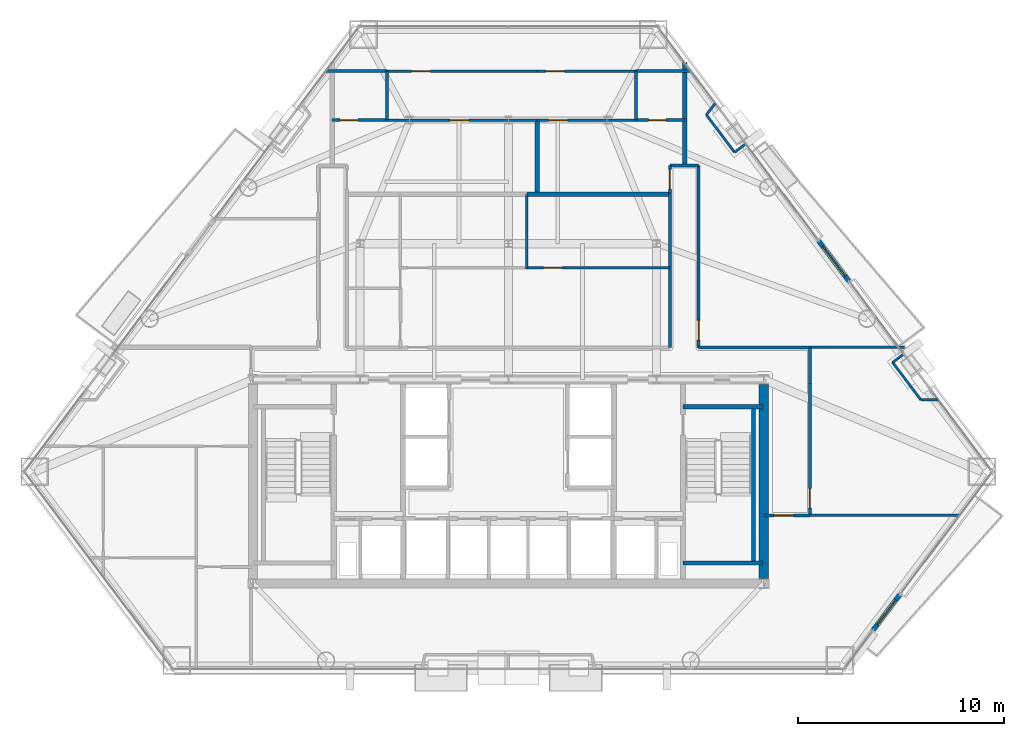
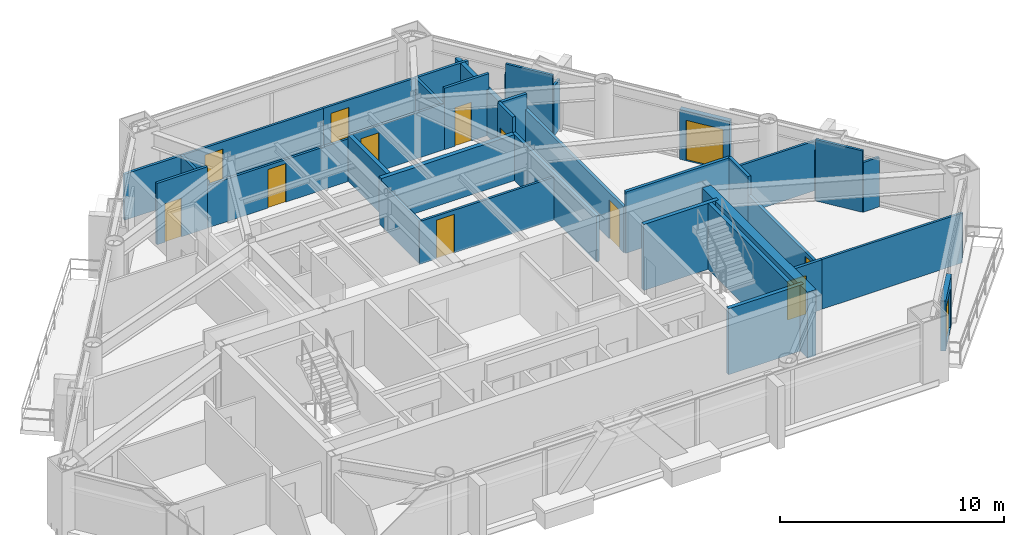
# One storey, part 8 of 11: 37 walls, 13 doors, 13 openings.
"""IFC4 building model written with IfcOpenShell, lengths in metres."""

from ifc_helpers import new_model, si_unit, direction, frame, frame_2d, origin, place, context, subcontext, project, spatial, rectangle, extrude, material, layer, layer_set, type_object, element, fill, save


model = new_model("IFC4")

# Units and contexts
model_context = context("Model", 3, precision=1e-05, world=origin(), true_north=direction((0.0, 1.0)))
body_context = subcontext(model_context, "Body", "Model", "MODEL_VIEW")
ifc_project = project(units=[si_unit("LENGTHUNIT", "METRE"), si_unit("AREAUNIT", "SQUARE_METRE"), si_unit("VOLUMEUNIT", "CUBIC_METRE"), si_unit("PLANEANGLEUNIT", "RADIAN"), si_unit("MASSUNIT", "GRAM", prefix="KILO")], contexts=[model_context])

# Site, building, storey
site_placement = place(None, origin())
site = spatial("IfcSite", under=ifc_project, at=site_placement, CompositionType="ELEMENT")
building_placement = place(site_placement, origin())
building = spatial("IfcBuilding", under=site, at=building_placement, Name="Talgorran Terracotta Tower", CompositionType="ELEMENT")
storey_placement = place(building_placement, frame((0.0, 0.0, 72.0)))
storey = spatial("IfcBuildingStorey", under=building, at=storey_placement, Name="L18", CompositionType="ELEMENT", Elevation=72.0)

# Wall, opening, door
ifc_material_1 = material(Name="Concrete C40/50", Category="concrete")
ifc_layer_1 = layer(ifc_material_1, 0.239990234375, Name="WT_BALCONY_SPAND")
ifc_layer_set_1 = layer_set([ifc_layer_1], Name="Concrete C40/50")
wall_type_1 = type_object("IfcWallType", Name="WT_BALCONY_SPAND", PredefinedType="STANDARD", material=ifc_layer_set_1)
wall_1_placement = place(storey_placement, frame((16.54150390625, 0.5830078125, -0.014892578125), z_axis=(0.0, 0.0, 1.0), x_axis=(-0.601247991813, 0.799062483377, 0.0)))
wall_1 = element("IfcWall", 1, at=wall_1_placement, inside=storey, type_object=wall_type_1, Name="WL-L18-BALP-BAL-NE", PredefinedType="STANDARD", context=body_context, shape_type="SweptSolid", body=[
    extrude(rectangle(XDim=2.43994140625, YDim=0.239990234375, at=frame_2d((1.219970703125, 0.0))), origin(), (0.0, 0.0, 1.0), 2.728271484375),
])
opening_1_placement = place(wall_1_placement, frame((0.320068359375, 0.0, 0.014892578125)))
opening_1 = element("IfcOpeningElement", 2, at=opening_1_placement, cuts=wall_1, Name="Opening D-BAL-L18-1", PredefinedType="OPENING", context=body_context, shape_type="SweptSolid", body=[
    extrude(rectangle(XDim=1.806048828125, YDim=2.203951171875, at=frame_2d((0.89990234375, 1.10205078125))), frame((0.0, 0.1298828125, 0.0), z_axis=(0.0, -1.0, 0.0), x_axis=(1.0, 0.0, 0.0)), (0.0, 0.0, 1.0), 0.260009765625),
])
ifc_material_2 = material(Name="Thermally Broken Aluminium", Category="aluminium")
door_type_1 = type_object("IfcDoorType", Name="DT_BALC_1800", OperationType="SLIDING_TO_LEFT", PredefinedType="DOOR", material=ifc_material_2)
door_1_placement = place(opening_1_placement, origin())
door_1 = element("IfcDoor", 3, at=door_1_placement, inside=storey, type_object=door_type_1, Name="DR-L18-BAL-BAL-NE", OperationType="SLIDING_TO_LEFT", OverallHeight=2.199951171875, OverallWidth=1.800048828125, PredefinedType="DOOR", context=body_context, shape_type="SweptSolid", body=[
    extrude(rectangle(XDim=1.800048828125, YDim=2.199951171875, at=frame_2d((0.89990234375, 1.10009765625))), frame((0.0, 0.02490234375, 0.0), z_axis=(0.0, -1.0, 0.0), x_axis=(1.0, 0.0, 0.0)), (0.0, 0.0, 1.0), 0.050048828125),
])
fill(opening_1, door_1)

wall_2_placement = place(storey_placement, frame((17.72314453125, -16.358154296875, -0.014892578125), z_axis=(0.0, 0.0, 1.0), x_axis=(0.601240548581, 0.799068083921, 0.0)))
wall_2 = element("IfcWall", 4, at=wall_2_placement, inside=storey, type_object=wall_type_1, Name="WL-L18-BALP-BAL-SE", PredefinedType="STANDARD", context=body_context, shape_type="SweptSolid", body=[
    extrude(rectangle(XDim=2.139892578125, YDim=0.239990234375, at=frame_2d((1.06982421875, 0.0))), origin(), (0.0, 0.0, 1.0), 2.728271484375),
])
opening_2_placement = place(wall_2_placement, frame((0.320068359375, 0.0, 0.014892578125)))
opening_2 = element("IfcOpeningElement", 5, at=opening_2_placement, cuts=wall_2, Name="Opening D-BAL-L18-3", PredefinedType="OPENING", context=body_context, shape_type="SweptSolid", body=[
    extrude(rectangle(XDim=1.506, YDim=2.203951171875, at=frame_2d((0.75, 1.10205078125))), frame((0.0, 0.1298828125, 0.0), z_axis=(0.0, -1.0, 0.0), x_axis=(1.0, 0.0, 0.0)), (0.0, 0.0, 1.0), 0.260009765625),
])
door_type_2 = type_object("IfcDoorType", Name="DT_BALC_1500", OperationType="SLIDING_TO_RIGHT", PredefinedType="DOOR", material=ifc_material_2)
door_2_placement = place(opening_2_placement, origin())
door_2 = element("IfcDoor", 6, at=door_2_placement, inside=storey, type_object=door_type_2, Name="DR-L18-BAL-BAL-SE", OperationType="SLIDING_TO_RIGHT", OverallHeight=2.199951171875, OverallWidth=1.5, PredefinedType="DOOR", context=body_context, shape_type="SweptSolid", body=[
    extrude(rectangle(XDim=1.5, YDim=2.199951171875, at=frame_2d((0.75, 1.10009765625))), frame((0.0, 0.02490234375, 0.0), z_axis=(0.0, -1.0, 0.0), x_axis=(1.0, 0.0, 0.0)), (0.0, 0.0, 1.0), 0.050048828125),
])
fill(opening_2, door_2)

# Walls
ifc_material_3 = material(Name="Concrete C50/60", Category="concrete")
ifc_layer_2 = layer(ifc_material_3, 0.199951171875, Name="WT_CORE_200")
ifc_layer_set_2 = layer_set([ifc_layer_2], Name="Concrete C50/60")
wall_type_2 = type_object("IfcWallType", Name="WT_CORE_200", PredefinedType="SOLIDWALL", material=ifc_layer_set_2)
for number, where, z_axis, x_axis, name in (
    (7, (8.47998046875, -5.52001953125, 0.0), (0.0, 0.0, 1.0), (1.0, 0.0, 0.0), "WL-L18-CW-ST2-N"),
    (8, (8.47998046875, -13.10009765625, 0.0), (0.0, 0.0, 1.0), (1.0, 0.0, 0.0), "WL-L18-CW-ST2-S"),
):
    element("IfcWall", number, at=place(storey_placement, frame(where, z_axis=z_axis, x_axis=x_axis)), inside=storey, type_object=wall_type_2, Name=name, PredefinedType="SOLIDWALL", context=body_context, shape_type="SweptSolid", body=[
        extrude(rectangle(XDim=3.8701171875, YDim=0.199951171875, at=frame_2d((1.93505859375, 0.0))), origin(), (0.0, 0.0, 1.0), 3.60009765625),
    ])
wall_3_placement = place(storey_placement, frame((11.89990234375, -13.10009765625, 0.0), z_axis=(0.0, 0.0, 1.0), x_axis=(0.0, 1.0, 0.0)))
element("IfcWall", 9, at=wall_3_placement, inside=storey, type_object=wall_type_2, Name="WL-L18-CW-ST2-E", PredefinedType="SOLIDWALL", context=body_context, shape_type="SweptSolid", body=[
    extrude(rectangle(XDim=7.580078125, YDim=0.199951171875, at=frame_2d((3.7900390625, 0.0))), origin(), (0.0, 0.0, 1.0), 3.60009765625),
])
ifc_material_4 = material(Name="Concrete C65/80", Category="concrete")
ifc_layer_3 = layer(ifc_material_4, 0.449951171875, Name="WT_CORE_EXT")
ifc_layer_set_3 = layer_set([ifc_layer_3], Name="Concrete C65/80")
wall_type_3 = type_object("IfcWallType", Name="WT_CORE_EXT", PredefinedType="SHEAR", material=ifc_layer_set_3)
wall_4_placement = place(storey_placement, frame((12.39990234375, -13.85009765625, 0.0), z_axis=(0.0, 0.0, 1.0), x_axis=(0.0, 1.0, 0.0)))
element("IfcWall", 10, at=wall_4_placement, inside=storey, type_object=wall_type_3, Name="WL-L18-CW-OUT-E", PredefinedType="SHEAR", context=body_context, shape_type="SweptSolid", body=[
    extrude(rectangle(XDim=9.400146484375, YDim=0.449951171875, at=frame_2d((4.7001953125, 0.0))), origin(), (0.0, 0.0, 1.0), 3.60009765625),
])

# Wall, opening, door
ifc_material_5 = material(Name="Fire-Rated Steel Stud Plasterboard", Category="steel")
ifc_layer_4 = layer(ifc_material_5, 0.14990234375, Name="WT_FIRE_150")
ifc_layer_set_4 = layer_set([ifc_layer_4], Name="Fire-Rated Steel Stud Plasterboard")
wall_type_4 = type_object("IfcWallType", Name="WT_FIRE_150", PredefinedType="PARTITIONING", material=ifc_layer_set_4)
wall_5_placement = place(storey_placement, frame((9.239990234375, -2.639892578125, 0.0), z_axis=(0.0, 0.0, 1.0), x_axis=(0.0, 1.0, 0.0)))
wall_5 = element("IfcWall", 11, at=wall_5_placement, inside=storey, type_object=wall_type_4, Name="WL-L18-W-L18-R20", PredefinedType="PARTITIONING", context=body_context, shape_type="SweptSolid", body=[
    extrude(rectangle(XDim=8.83984375, YDim=0.14990234375, at=frame_2d((4.419921875, 0.0))), origin(), (0.0, 0.0, 1.0), 2.509033203125),
])
opening_3_placement = place(wall_5_placement, frame((0.359130859375, 0.0, 0.0)))
opening_3 = element("IfcOpeningElement", 12, at=opening_3_placement, cuts=wall_5, Name="Opening DR-L18-R22", PredefinedType="OPENING", context=body_context, shape_type="SweptSolid", body=[
    extrude(rectangle(XDim=0.955951171875, YDim=2.10409765625, at=frame_2d((0.47509765625, 1.052001953125))), frame((0.0, 0.0849609375, 0.0), z_axis=(0.0, -1.0, 0.0), x_axis=(1.0, 0.0, 0.0)), (0.0, 0.0, 1.0), 0.169921875),
])
ifc_material_6 = material(Name="Fire-Rated Timber Core", Category="wood")
door_type_3 = type_object("IfcDoorType", Name="DT_FIRE_950", OperationType="NOTDEFINED", PredefinedType="DOOR", material=ifc_material_6)
door_3_placement = place(opening_3_placement, origin())
door_3 = element("IfcDoor", 13, at=door_3_placement, inside=storey, type_object=door_type_3, Name="DR-L18-R22", OperationType="SINGLE_SWING_RIGHT", OverallHeight=2.10009765625, OverallWidth=0.949951171875, PredefinedType="DOOR", context=body_context, shape_type="SweptSolid", body=[
    extrude(rectangle(XDim=0.949951171875, YDim=2.10009765625, at=frame_2d((0.47509765625, 1.050048828125))), frame((0.0, 0.02490234375, 0.0), z_axis=(0.0, -1.0, 0.0), x_axis=(1.0, 0.0, 0.0)), (0.0, 0.0, 1.0), 0.050048828125),
])
fill(opening_3, door_3)

wall_6_placement = place(storey_placement, frame((14.639892578125, -10.800048828125, 0.0), z_axis=(0.0, 0.0, 1.0), x_axis=(0.0, 1.0, 0.0)))
wall_6 = element("IfcWall", 14, at=wall_6_placement, inside=storey, type_object=wall_type_4, Name="WL-L18-W-L18-R02", PredefinedType="PARTITIONING", context=body_context, shape_type="SweptSolid", body=[
    extrude(rectangle(XDim=6.400146484375, YDim=0.14990234375, at=frame_2d((3.2001953125, 0.0))), origin(), (0.0, 0.0, 1.0), 2.324951171875),
])
opening_4_placement = place(wall_6_placement, frame((0.358642578125, 0.0, 0.0)))
opening_4 = element("IfcOpeningElement", 15, at=opening_4_placement, cuts=wall_6, Name="Opening DR-L18-R05", PredefinedType="OPENING", context=body_context, shape_type="SweptSolid", body=[
    extrude(rectangle(XDim=0.955951171875, YDim=2.10409765625, at=frame_2d((0.47509765625, 1.052001953125))), frame((0.0, 0.0849609375, 0.0), z_axis=(0.0, -1.0, 0.0), x_axis=(1.0, 0.0, 0.0)), (0.0, 0.0, 1.0), 0.169921875),
])
door_4_placement = place(opening_4_placement, origin())
door_4 = element("IfcDoor", 16, at=door_4_placement, inside=storey, type_object=door_type_3, Name="DR-L18-R05", OperationType="SINGLE_SWING_LEFT", OverallHeight=2.10009765625, OverallWidth=0.949951171875, PredefinedType="DOOR", context=body_context, shape_type="SweptSolid", body=[
    extrude(rectangle(XDim=0.949951171875, YDim=2.10009765625, at=frame_2d((0.47509765625, 1.050048828125))), frame((0.0, 0.02490234375, 0.0), z_axis=(0.0, -1.0, 0.0), x_axis=(1.0, 0.0, 0.0)), (0.0, 0.0, 1.0), 0.050048828125),
])
fill(opening_4, door_4)

# Walls
wall_7_placement = place(storey_placement, frame((9.239990234375, -2.639892578125, 0.0), z_axis=(0.0, 0.0, 1.0), x_axis=(1.0, 0.0, 0.0)))
element("IfcWall", 17, at=wall_7_placement, inside=storey, type_object=wall_type_4, Name="WL-L18-W-L18-R21", PredefinedType="PARTITIONING", context=body_context, shape_type="SweptSolid", body=[
    extrude(rectangle(XDim=5.39990234375, YDim=0.14990234375, at=frame_2d((2.699951171875, 0.0))), origin(), (0.0, 0.0, 1.0), 3.35009765625),
])
wall_8_placement = place(storey_placement, frame((7.840087890625, -2.639892578125, 0.0), z_axis=(0.0, 0.0, 1.0), x_axis=(0.0, 1.0, 0.0)))
element("IfcWall", 18, at=wall_8_placement, inside=storey, type_object=wall_type_4, Name="WL-L18-W-L18-R13", PredefinedType="PARTITIONING", context=body_context, shape_type="SweptSolid", body=[
    extrude(rectangle(XDim=7.5, YDim=0.14990234375, at=frame_2d((3.75, 0.0))), origin(), (0.0, 0.0, 1.0), 2.509033203125),
])

# Wall, opening, door
wall_9_placement = place(storey_placement, frame((12.43994140625, -10.800048828125, 0.0), z_axis=(0.0, 0.0, 1.0), x_axis=(1.0, 0.0, 0.0)))
wall_9 = element("IfcWall", 19, at=wall_9_placement, inside=storey, type_object=wall_type_4, Name="WL-L18-W-L18-R04", PredefinedType="PARTITIONING", context=body_context, shape_type="SweptSolid", body=[
    extrude(rectangle(XDim=2.199951171875, YDim=0.14990234375, at=frame_2d((1.10009765625, 0.0))), origin(), (0.0, 0.0, 1.0), 2.71337890625),
])
opening_5_placement = place(wall_9_placement, frame((0.458984375, 0.0, 0.0)))
opening_5 = element("IfcOpeningElement", 20, at=opening_5_placement, cuts=wall_9, Name="Opening DR-L18-R06", PredefinedType="OPENING", context=body_context, shape_type="SweptSolid", body=[
    extrude(rectangle(XDim=0.955951171875, YDim=2.10409765625, at=frame_2d((0.47509765625, 1.052001953125))), frame((0.0, 0.0849609375, 0.0), z_axis=(0.0, -1.0, 0.0), x_axis=(1.0, 0.0, 0.0)), (0.0, 0.0, 1.0), 0.169921875),
])
door_5_placement = place(opening_5_placement, origin())
door_5 = element("IfcDoor", 21, at=door_5_placement, inside=storey, type_object=door_type_3, Name="DR-L18-R06", OperationType="SINGLE_SWING_RIGHT", OverallHeight=2.10009765625, OverallWidth=0.949951171875, PredefinedType="DOOR", context=body_context, shape_type="SweptSolid", body=[
    extrude(rectangle(XDim=0.949951171875, YDim=2.10009765625, at=frame_2d((0.47509765625, 1.050048828125))), frame((0.0, 0.02490234375, 0.0), z_axis=(0.0, -1.0, 0.0), x_axis=(1.0, 0.0, 0.0)), (0.0, 0.0, 1.0), 0.050048828125),
])
fill(opening_5, door_5)

# Wall
wall_10_placement = place(storey_placement, frame((14.639892578125, -4.39990234375, 0.0), z_axis=(0.0, 0.0, 1.0), x_axis=(0.0, 1.0, 0.0)))
element("IfcWall", 22, at=wall_10_placement, inside=storey, type_object=wall_type_4, Name="WL-L18-W-L18-R03", PredefinedType="PARTITIONING", context=body_context, shape_type="SweptSolid", body=[
    extrude(rectangle(XDim=1.760009765625, YDim=0.14990234375, at=frame_2d((0.8798828125, 0.0))), origin(), (0.0, 0.0, 1.0), 3.35009765625),
])

# Wall, opening, door
wall_11_placement = place(storey_placement, frame((7.840087890625, 4.862060546875, 0.0), z_axis=(0.0, 0.0, 1.0), x_axis=(0.0, 1.0, 0.0)))
wall_11 = element("IfcWall", 23, at=wall_11_placement, inside=storey, type_object=wall_type_4, Name="WL-L18-W-L18-R17", PredefinedType="PARTITIONING", context=body_context, shape_type="SweptSolid", body=[
    extrude(rectangle(XDim=1.337890625, YDim=0.14990234375, at=frame_2d((0.6689453125, 0.0))), origin(), (0.0, 0.0, 1.0), 3.35009765625),
])
opening_6_placement = place(wall_11_placement, frame((0.19091796875, 0.0, 0.0)))
opening_6 = element("IfcOpeningElement", 24, at=opening_6_placement, cuts=wall_11, Name="Opening DR-L18-R18", PredefinedType="OPENING", context=body_context, shape_type="SweptSolid", body=[
    extrude(rectangle(XDim=0.955951171875, YDim=2.10409765625, at=frame_2d((0.47509765625, 1.052001953125))), frame((0.0, 0.0849609375, 0.0), z_axis=(0.0, -1.0, 0.0), x_axis=(1.0, 0.0, 0.0)), (0.0, 0.0, 1.0), 0.169921875),
])
door_6_placement = place(opening_6_placement, origin())
door_6 = element("IfcDoor", 25, at=door_6_placement, inside=storey, type_object=door_type_3, Name="DR-L18-R18", OperationType="SINGLE_SWING_RIGHT", OverallHeight=2.10009765625, OverallWidth=0.949951171875, PredefinedType="DOOR", context=body_context, shape_type="SweptSolid", body=[
    extrude(rectangle(XDim=0.949951171875, YDim=2.10009765625, at=frame_2d((0.47509765625, 1.050048828125))), frame((0.0, 0.02490234375, 0.0), z_axis=(0.0, -1.0, 0.0), x_axis=(1.0, 0.0, 0.0)), (0.0, 0.0, 1.0), 0.050048828125),
])
fill(opening_6, door_6)

# Walls
wall_12_placement = place(storey_placement, frame((7.840087890625, 6.199951171875, 0.0), z_axis=(0.0, 0.0, 1.0), x_axis=(1.0, 0.0, 0.0)))
element("IfcWall", 26, at=wall_12_placement, inside=storey, type_object=wall_type_4, Name="WL-L18-W-L18-R18", PredefinedType="PARTITIONING", context=body_context, shape_type="SweptSolid", body=[
    extrude(rectangle(XDim=1.39990234375, YDim=0.14990234375, at=frame_2d((0.699951171875, 0.0))), origin(), (0.0, 0.0, 1.0), 3.35009765625),
])
ifc_material_7 = material(Name="Acoustic Masonry and Plasterboard", Category="masonry")
ifc_layer_5 = layer(ifc_material_7, 0.219970703125, Name="WT_PARTY_220")
ifc_layer_set_5 = layer_set([ifc_layer_5], Name="Acoustic Masonry and Plasterboard")
wall_type_5 = type_object("IfcWallType", Name="WT_PARTY_220", PredefinedType="PARTITIONING", material=ifc_layer_set_5)
wall_13_placement = place(storey_placement, frame((0.89990234375, 4.800048828125, 0.0), z_axis=(0.0, 0.0, 1.0), x_axis=(1.0, 0.0, 0.0)))
element("IfcWall", 27, at=wall_13_placement, inside=storey, type_object=wall_type_5, Name="WL-L18-W-L18-R48", PredefinedType="PARTITIONING", context=body_context, shape_type="SweptSolid", body=[
    extrude(rectangle(XDim=6.940185546875, YDim=0.219970703125, at=frame_2d((3.47021484375, 0.0))), origin(), (0.0, 0.0, 1.0), 2.509033203125),
])
wall_14_placement = place(storey_placement, frame((1.39990234375, 4.905029296875, 0.0), z_axis=(0.0, 0.0, 1.0), x_axis=(0.0, 1.0, 0.0)))
element("IfcWall", 28, at=wall_14_placement, inside=storey, type_object=wall_type_5, Name="WL-L18-W-L18-R51", PredefinedType="PARTITIONING", context=body_context, shape_type="SweptSolid", body=[
    extrude(rectangle(XDim=3.43994140625, YDim=0.219970703125, at=frame_2d((1.719970703125, 0.0))), origin(), (0.0, 0.0, 1.0), 2.509033203125),
])
wall_15_placement = place(storey_placement, frame((8.56005859375, 6.199951171875, 0.0), z_axis=(0.0, 0.0, 1.0), x_axis=(0.0, 1.0, 0.0)))
element("IfcWall", 29, at=wall_15_placement, inside=storey, type_object=wall_type_5, Name="WL-L18-W-L18-R62", PredefinedType="PARTITIONING", context=body_context, shape_type="SweptSolid", body=[
    extrude(rectangle(XDim=4.99072265625, YDim=0.219970703125, at=frame_2d((2.495361328125, 0.0))), origin(), (0.0, 0.0, 1.0), 2.509033203125),
])

# Wall, opening, door
ifc_material_8 = material(Name="Insulated Steel Stud Plasterboard", Category="steel")
ifc_layer_6 = layer(ifc_material_8, 0.1201171875, Name="WT_PART_120")
ifc_layer_set_6 = layer_set([ifc_layer_6], Name="Insulated Steel Stud Plasterboard")
wall_type_6 = type_object("IfcWallType", Name="WT_PART_120", PredefinedType="PARTITIONING", material=ifc_layer_set_6)
wall_16_placement = place(storey_placement, frame((-5.9599609375, 8.39990234375, 0.0), z_axis=(0.0, 0.0, 1.0), x_axis=(1.0, 0.0, 0.0)))
wall_16 = element("IfcWall", 30, at=wall_16_placement, inside=storey, type_object=wall_type_6, Name="WL-L18-W-L18-R50", PredefinedType="PARTITIONING", context=body_context, shape_type="SweptSolid", body=[
    extrude(rectangle(XDim=7.35986328125, YDim=0.1201171875, at=frame_2d((3.679931640625, 0.0))), origin(), (0.0, 0.0, 1.0), 2.324951171875),
])
opening_7_placement = place(wall_16_placement, frame((3.1201171875, 0.0, 0.0)))
opening_7 = element("IfcOpeningElement", 31, at=opening_7_placement, cuts=wall_16, Name="Opening DR-L18-R16", PredefinedType="OPENING", context=body_context, shape_type="SweptSolid", body=[
    extrude(rectangle(XDim=0.925921875, YDim=2.10409765625, at=frame_2d((0.4599609375, 1.052001953125))), frame((0.0, 0.070068359375, 0.0), z_axis=(0.0, -1.0, 0.0), x_axis=(1.0, 0.0, 0.0)), (0.0, 0.0, 1.0), 0.14013671875),
])
ifc_material_9 = material(Name="Solid-Core Painted Timber", Category="wood")
door_type_4 = type_object("IfcDoorType", Name="DT_INT_920", OperationType="NOTDEFINED", PredefinedType="DOOR", material=ifc_material_9)
door_7_placement = place(opening_7_placement, origin())
door_7 = element("IfcDoor", 32, at=door_7_placement, inside=storey, type_object=door_type_4, Name="DR-L18-R16", OperationType="SINGLE_SWING_RIGHT", OverallHeight=2.10009765625, OverallWidth=0.919921875, PredefinedType="DOOR", context=body_context, shape_type="SweptSolid", body=[
    extrude(rectangle(XDim=0.919921875, YDim=2.10009765625, at=frame_2d((0.4599609375, 1.050048828125))), frame((0.0, 0.02490234375, 0.0), z_axis=(0.0, -1.0, 0.0), x_axis=(1.0, 0.0, 0.0)), (0.0, 0.0, 1.0), 0.050048828125),
])
fill(opening_7, door_7)

wall_17_placement = place(storey_placement, frame((-5.89990234375, 10.780029296875, 0.0), z_axis=(0.0, 0.0, 1.0), x_axis=(1.0, 0.0, 0.0)))
wall_17 = element("IfcWall", 33, at=wall_17_placement, inside=storey, type_object=wall_type_6, Name="WL-L18-W-L18-R54", PredefinedType="PARTITIONING", context=body_context, shape_type="SweptSolid", body=[
    extrude(rectangle(XDim=7.2998046875, YDim=0.1201171875, at=frame_2d((3.64990234375, 0.0))), origin(), (0.0, 0.0, 1.0), 2.509033203125),
])
opening_8_placement = place(wall_17_placement, frame((1.196533203125, 0.0, 0.0)))
opening_8 = element("IfcOpeningElement", 34, at=opening_8_placement, cuts=wall_17, Name="Opening DR-L18-R17", PredefinedType="OPENING", context=body_context, shape_type="SweptSolid", body=[
    extrude(rectangle(XDim=0.925921875, YDim=2.10409765625, at=frame_2d((0.4599609375, 1.052001953125))), frame((0.0, 0.070068359375, 0.0), z_axis=(0.0, -1.0, 0.0), x_axis=(1.0, 0.0, 0.0)), (0.0, 0.0, 1.0), 0.14013671875),
])
door_8_placement = place(opening_8_placement, origin())
door_8 = element("IfcDoor", 35, at=door_8_placement, inside=storey, type_object=door_type_4, Name="DR-L18-R17", OperationType="SINGLE_SWING_LEFT", OverallHeight=2.10009765625, OverallWidth=0.919921875, PredefinedType="DOOR", context=body_context, shape_type="SweptSolid", body=[
    extrude(rectangle(XDim=0.919921875, YDim=2.10009765625, at=frame_2d((0.4599609375, 1.050048828125))), frame((0.0, 0.02490234375, 0.0), z_axis=(0.0, -1.0, 0.0), x_axis=(1.0, 0.0, 0.0)), (0.0, 0.0, 1.0), 0.050048828125),
])
fill(opening_8, door_8)

# Wall
wall_18_placement = place(storey_placement, frame((14.639892578125, -10.800048828125, 0.0), z_axis=(0.0, 0.0, 1.0), x_axis=(1.0, 0.0, 0.0)))
element("IfcWall", 36, at=wall_18_placement, inside=storey, type_object=wall_type_6, Name="WL-L18-W-L18-R33", PredefinedType="PARTITIONING", context=body_context, shape_type="SweptSolid", body=[
    extrude(rectangle(XDim=7.265380859375, YDim=0.1201171875, at=frame_2d((3.6328125, 0.0))), origin(), (0.0, 0.0, 1.0), 2.71337890625),
])

# Wall, opening, door
wall_19_placement = place(storey_placement, frame((0.840087890625, 1.219970703125, 0.0), z_axis=(0.0, 0.0, 1.0), x_axis=(1.0, 0.0, 0.0)))
wall_19 = element("IfcWall", 37, at=wall_19_placement, inside=storey, type_object=wall_type_6, Name="WL-L18-W-L18-R44", PredefinedType="PARTITIONING", context=body_context, shape_type="SweptSolid", body=[
    extrude(rectangle(XDim=7.0, YDim=0.1201171875, at=frame_2d((3.5, 0.0))), origin(), (0.0, 0.0, 1.0), 2.324951171875),
])
opening_9_placement = place(wall_19_placement, frame((0.874755859375, 0.0, 0.0)))
opening_9 = element("IfcOpeningElement", 38, at=opening_9_placement, cuts=wall_19, Name="Opening DR-L18-R13", PredefinedType="OPENING", context=body_context, shape_type="SweptSolid", body=[
    extrude(rectangle(XDim=0.925921875, YDim=2.10409765625, at=frame_2d((0.4599609375, 1.052001953125))), frame((0.0, 0.070068359375, 0.0), z_axis=(0.0, -1.0, 0.0), x_axis=(1.0, 0.0, 0.0)), (0.0, 0.0, 1.0), 0.14013671875),
])
door_9_placement = place(opening_9_placement, origin())
door_9 = element("IfcDoor", 39, at=door_9_placement, inside=storey, type_object=door_type_4, Name="DR-L18-R13", OperationType="SINGLE_SWING_LEFT", OverallHeight=2.10009765625, OverallWidth=0.919921875, PredefinedType="DOOR", context=body_context, shape_type="SweptSolid", body=[
    extrude(rectangle(XDim=0.919921875, YDim=2.10009765625, at=frame_2d((0.4599609375, 1.050048828125))), frame((0.0, 0.02490234375, 0.0), z_axis=(0.0, -1.0, 0.0), x_axis=(1.0, 0.0, 0.0)), (0.0, 0.0, 1.0), 0.050048828125),
])
fill(opening_9, door_9)

wall_20_placement = place(storey_placement, frame((1.39990234375, 8.39990234375, 0.0), z_axis=(0.0, 0.0, 1.0), x_axis=(1.0, 0.0, 0.0)))
wall_20 = element("IfcWall", 40, at=wall_20_placement, inside=storey, type_object=wall_type_6, Name="WL-L18-W-L18-R58", PredefinedType="PARTITIONING", context=body_context, shape_type="SweptSolid", body=[
    extrude(rectangle(XDim=4.860107421875, YDim=0.1201171875, at=frame_2d((2.43017578125, 0.0))), origin(), (0.0, 0.0, 1.0), 2.509033203125),
])
opening_10_placement = place(wall_20_placement, frame((0.5576171875, 0.0, 0.0)))
opening_10 = element("IfcOpeningElement", 41, at=opening_10_placement, cuts=wall_20, Name="Opening DR-L18-R20", PredefinedType="OPENING", context=body_context, shape_type="SweptSolid", body=[
    extrude(rectangle(XDim=0.925921875, YDim=2.10409765625, at=frame_2d((0.4599609375, 1.052001953125))), frame((0.0, 0.070068359375, 0.0), z_axis=(0.0, -1.0, 0.0), x_axis=(1.0, 0.0, 0.0)), (0.0, 0.0, 1.0), 0.14013671875),
])
door_10_placement = place(opening_10_placement, origin())
door_10 = element("IfcDoor", 42, at=door_10_placement, inside=storey, type_object=door_type_4, Name="DR-L18-R20", OperationType="SINGLE_SWING_RIGHT", OverallHeight=2.10009765625, OverallWidth=0.919921875, PredefinedType="DOOR", context=body_context, shape_type="SweptSolid", body=[
    extrude(rectangle(XDim=0.919921875, YDim=2.10009765625, at=frame_2d((0.4599609375, 1.050048828125))), frame((0.0, 0.02490234375, 0.0), z_axis=(0.0, -1.0, 0.0), x_axis=(1.0, 0.0, 0.0)), (0.0, 0.0, 1.0), 0.050048828125),
])
fill(opening_10, door_10)

wall_21_placement = place(storey_placement, frame((1.39990234375, 10.780029296875, 0.0), z_axis=(0.0, 0.0, 1.0), x_axis=(1.0, 0.0, 0.0)))
wall_21 = element("IfcWall", 43, at=wall_21_placement, inside=storey, type_object=wall_type_6, Name="WL-L18-W-L18-R63", PredefinedType="PARTITIONING", context=body_context, shape_type="SweptSolid", body=[
    extrude(rectangle(XDim=4.800048828125, YDim=0.1201171875, at=frame_2d((2.39990234375, 0.0))), origin(), (0.0, 0.0, 1.0), 2.509033203125),
])
opening_11_placement = place(wall_21_placement, frame((0.39697265625, 0.0, 0.0)))
opening_11 = element("IfcOpeningElement", 44, at=opening_11_placement, cuts=wall_21, Name="Opening DR-L18-R21", PredefinedType="OPENING", context=body_context, shape_type="SweptSolid", body=[
    extrude(rectangle(XDim=0.925921875, YDim=2.10409765625, at=frame_2d((0.4599609375, 1.052001953125))), frame((0.0, 0.070068359375, 0.0), z_axis=(0.0, -1.0, 0.0), x_axis=(1.0, 0.0, 0.0)), (0.0, 0.0, 1.0), 0.14013671875),
])
door_11_placement = place(opening_11_placement, origin())
door_11 = element("IfcDoor", 45, at=door_11_placement, inside=storey, type_object=door_type_4, Name="DR-L18-R21", OperationType="SINGLE_SWING_LEFT", OverallHeight=2.10009765625, OverallWidth=0.919921875, PredefinedType="DOOR", context=body_context, shape_type="SweptSolid", body=[
    extrude(rectangle(XDim=0.919921875, YDim=2.10009765625, at=frame_2d((0.4599609375, 1.050048828125))), frame((0.0, 0.02490234375, 0.0), z_axis=(0.0, -1.0, 0.0), x_axis=(1.0, 0.0, 0.0)), (0.0, 0.0, 1.0), 0.050048828125),
])
fill(opening_11, door_11)

# Walls
wall_22_placement = place(storey_placement, frame((14.639892578125, -2.639892578125, 0.0), z_axis=(0.0, 0.0, 1.0), x_axis=(1.0, 0.0, 0.0)))
element("IfcWall", 46, at=wall_22_placement, inside=storey, type_object=wall_type_6, Name="WL-L18-W-L18-R34", PredefinedType="PARTITIONING", context=body_context, shape_type="SweptSolid", body=[
    extrude(rectangle(XDim=4.60009765625, YDim=0.1201171875, at=frame_2d((2.300048828125, 0.0))), origin(), (0.0, 0.0, 1.0), 2.71337890625),
])
wall_23_placement = place(storey_placement, frame((0.89990234375, 1.219970703125, 0.0), z_axis=(0.0, 0.0, 1.0), x_axis=(0.0, 1.0, 0.0)))
element("IfcWall", 47, at=wall_23_placement, inside=storey, type_object=wall_type_6, Name="WL-L18-W-L18-R45", PredefinedType="PARTITIONING", context=body_context, shape_type="SweptSolid", body=[
    extrude(rectangle(XDim=3.580078125, YDim=0.1201171875, at=frame_2d((1.7900390625, 0.0))), origin(), (0.0, 0.0, 1.0), 2.324951171875),
])
for number, where, z_axis, x_axis, name in (
    (48, (10.985595703125, 6.836181640625, 0.0), (0.0, 0.0, 1.0), (-0.601301632327, 0.799022119194, 0.0), "WL-L18-BW-L18-17"),
    (49, (20.0322265625, -5.18701171875, 0.0), (0.0, 0.0, 1.0), (-0.601301632327, 0.799022119194, 0.0), "WL-L18-BW-L18-12"),
):
    element("IfcWall", number, at=place(storey_placement, frame(where, z_axis=z_axis, x_axis=x_axis)), inside=storey, type_object=wall_type_6, Name=name, PredefinedType="PARTITIONING", context=body_context, shape_type="SweptSolid", body=[
        extrude(rectangle(XDim=2.279296875, YDim=0.1201171875, at=frame_2d((1.1396484375, 0.0))), origin(), (0.0, 0.0, 1.0), 3.35009765625),
    ])
wall_24_placement = place(storey_placement, frame((20.8564453125, -5.168212890625, 0.0), z_axis=(0.0, 0.0, 1.0), x_axis=(-0.999739997708, -0.022802126725, 0.0)))
element("IfcWall", 50, at=wall_24_placement, inside=storey, type_object=wall_type_6, Name="WL-L18-BW-L18-11", PredefinedType="PARTITIONING", context=body_context, shape_type="SweptSolid", body=[
    extrude(rectangle(XDim=0.824462890625, YDim=0.1201171875, at=frame_2d((0.412109375, 0.0))), origin(), (0.0, 0.0, 1.0), 2.71337890625),
])
wall_25_placement = place(storey_placement, frame((9.614990234375, 8.657470703125, 0.0), z_axis=(0.0, 0.0, 1.0), x_axis=(0.613137094739, 0.789976520572, 0.0)))
element("IfcWall", 51, at=wall_25_placement, inside=storey, type_object=wall_type_6, Name="WL-L18-BW-L18-18", PredefinedType="PARTITIONING", context=body_context, shape_type="SweptSolid", body=[
    extrude(rectangle(XDim=0.6943359375, YDim=0.1201171875, at=frame_2d((0.34716796875, 0.0))), origin(), (0.0, 0.0, 1.0), 2.71337890625),
])
for number, where, z_axis, x_axis, name in (
    (52, (18.66162109375, -3.36572265625, 0.0), (0.0, 0.0, 1.0), (0.799080830747, 0.601223607265, 0.0), "WL-L18-BW-L18-10"),
    (53, (11.52099609375, 7.239013671875, 0.0), (0.0, 0.0, 1.0), (-0.799080830747, -0.601223607265, 0.0), "WL-L18-BW-L18-16"),
):
    element("IfcWall", number, at=place(storey_placement, frame(where, z_axis=z_axis, x_axis=x_axis)), inside=storey, type_object=wall_type_6, Name=name, PredefinedType="PARTITIONING", context=body_context, shape_type="SweptSolid", body=[
        extrude(rectangle(XDim=0.669921875, YDim=0.1201171875, at=frame_2d((0.3349609375, 0.0))), origin(), (0.0, 0.0, 1.0), 2.71337890625),
    ])
ifc_material_10 = material(Name="Moisture-Resistant Stud Wall")
ifc_layer_7 = layer(ifc_material_10, 0.135009765625, Name="WT_PART_135")
ifc_layer_set_7 = layer_set([ifc_layer_7], Name="Moisture-Resistant Stud Wall")
wall_type_7 = type_object("IfcWallType", Name="WT_PART_135", PredefinedType="PARTITIONING", material=ifc_layer_set_7)
wall_26_placement = place(storey_placement, frame((-8.868896484375, 10.780029296875, 0.0), z_axis=(0.0, 0.0, 1.0), x_axis=(1.0, 0.0, 0.0)))
element("IfcWall", 54, at=wall_26_placement, inside=storey, type_object=wall_type_7, Name="WL-L18-W-L18-R53", PredefinedType="PARTITIONING", context=body_context, shape_type="SweptSolid", body=[
    extrude(rectangle(XDim=2.968994140625, YDim=0.135009765625, at=frame_2d((1.484375, 0.0))), origin(), (0.0, 0.0, 1.0), 2.509033203125),
])

# Wall, opening, door
wall_27_placement = place(storey_placement, frame((-8.56005859375, 8.39990234375, 0.0), z_axis=(0.0, 0.0, 1.0), x_axis=(1.0, 0.0, 0.0)))
wall_27 = element("IfcWall", 55, at=wall_27_placement, inside=storey, type_object=wall_type_7, Name="WL-L18-W-L18-R49", PredefinedType="PARTITIONING", context=body_context, shape_type="SweptSolid", body=[
    extrude(rectangle(XDim=2.59814453125, YDim=0.135009765625, at=frame_2d((1.299072265625, 0.0))), origin(), (0.0, 0.0, 1.0), 3.35009765625),
])
opening_12_placement = place(wall_27_placement, frame((0.398193359375, 0.0, 0.0)))
opening_12 = element("IfcOpeningElement", 56, at=opening_12_placement, cuts=wall_27, Name="Opening DR-L18-R15", PredefinedType="OPENING", context=body_context, shape_type="SweptSolid", body=[
    extrude(rectangle(XDim=0.85609765625, YDim=2.10409765625, at=frame_2d((0.425048828125, 1.052001953125))), frame((0.0, 0.07763671875, 0.0), z_axis=(0.0, -1.0, 0.0), x_axis=(1.0, 0.0, 0.0)), (0.0, 0.0, 1.0), 0.155029296875),
])
ifc_material_11 = material(Name="Moisture-Resistant Solid Timber", Category="wood")
door_type_5 = type_object("IfcDoorType", Name="DT_INT_850", OperationType="NOTDEFINED", PredefinedType="DOOR", material=ifc_material_11)
door_12_placement = place(opening_12_placement, origin())
door_12 = element("IfcDoor", 57, at=door_12_placement, inside=storey, type_object=door_type_5, Name="DR-L18-R15", OperationType="SINGLE_SWING_LEFT", OverallHeight=2.10009765625, OverallWidth=0.85009765625, PredefinedType="DOOR", context=body_context, shape_type="SweptSolid", body=[
    extrude(rectangle(XDim=0.85009765625, YDim=2.10009765625, at=frame_2d((0.425048828125, 1.050048828125))), frame((0.0, 0.02490234375, 0.0), z_axis=(0.0, -1.0, 0.0), x_axis=(1.0, 0.0, 0.0)), (0.0, 0.0, 1.0), 0.050048828125),
])
fill(opening_12, door_12)

# Wall
wall_28_placement = place(storey_placement, frame((6.199951171875, 10.780029296875, 0.0), z_axis=(0.0, 0.0, 1.0), x_axis=(1.0, 0.0, 0.0)))
element("IfcWall", 58, at=wall_28_placement, inside=storey, type_object=wall_type_7, Name="WL-L18-W-L18-R61", PredefinedType="PARTITIONING", context=body_context, shape_type="SweptSolid", body=[
    extrude(rectangle(XDim=2.6689453125, YDim=0.135009765625, at=frame_2d((1.33447265625, 0.0))), origin(), (0.0, 0.0, 1.0), 2.509033203125),
])

# Wall, opening, door
wall_29_placement = place(storey_placement, frame((6.261962890625, 8.39990234375, 0.0), z_axis=(0.0, 0.0, 1.0), x_axis=(1.0, 0.0, 0.0)))
wall_29 = element("IfcWall", 59, at=wall_29_placement, inside=storey, type_object=wall_type_7, Name="WL-L18-W-L18-R57", PredefinedType="PARTITIONING", context=body_context, shape_type="SweptSolid", body=[
    extrude(rectangle(XDim=2.298095703125, YDim=0.135009765625, at=frame_2d((1.14892578125, 0.0))), origin(), (0.0, 0.0, 1.0), 3.35009765625),
])
opening_13_placement = place(wall_29_placement, frame((0.545654296875, 0.0, 0.0)))
opening_13 = element("IfcOpeningElement", 60, at=opening_13_placement, cuts=wall_29, Name="Opening DR-L18-R19", PredefinedType="OPENING", context=body_context, shape_type="SweptSolid", body=[
    extrude(rectangle(XDim=0.85609765625, YDim=2.10409765625, at=frame_2d((0.425048828125, 1.052001953125))), frame((0.0, 0.07763671875, 0.0), z_axis=(0.0, -1.0, 0.0), x_axis=(1.0, 0.0, 0.0)), (0.0, 0.0, 1.0), 0.155029296875),
])
door_13_placement = place(opening_13_placement, origin())
door_13 = element("IfcDoor", 61, at=door_13_placement, inside=storey, type_object=door_type_5, Name="DR-L18-R19", OperationType="SINGLE_SWING_LEFT", OverallHeight=2.10009765625, OverallWidth=0.85009765625, PredefinedType="DOOR", context=body_context, shape_type="SweptSolid", body=[
    extrude(rectangle(XDim=0.85009765625, YDim=2.10009765625, at=frame_2d((0.425048828125, 1.050048828125))), frame((0.0, 0.02490234375, 0.0), z_axis=(0.0, -1.0, 0.0), x_axis=(1.0, 0.0, 0.0)), (0.0, 0.0, 1.0), 0.050048828125),
])
fill(opening_13, door_13)

# Walls
for number, where, z_axis, x_axis, name in (
    (62, (-5.89990234375, 8.39990234375, 0.0), (0.0, 0.0, 1.0), (0.0, 1.0, 0.0), "WL-L18-W-L18-R52"),
    (63, (6.199951171875, 8.39990234375, 0.0), (0.0, 0.0, 1.0), (0.0, 1.0, 0.0), "WL-L18-W-L18-R60"),
):
    element("IfcWall", number, at=place(storey_placement, frame(where, z_axis=z_axis, x_axis=x_axis)), inside=storey, type_object=wall_type_7, Name=name, PredefinedType="PARTITIONING", context=body_context, shape_type="SweptSolid", body=[
        extrude(rectangle(XDim=2.380126953125, YDim=0.135009765625, at=frame_2d((1.18994140625, 0.0))), origin(), (0.0, 0.0, 1.0), 2.509033203125),
    ])

save(model, "model.ifc")
